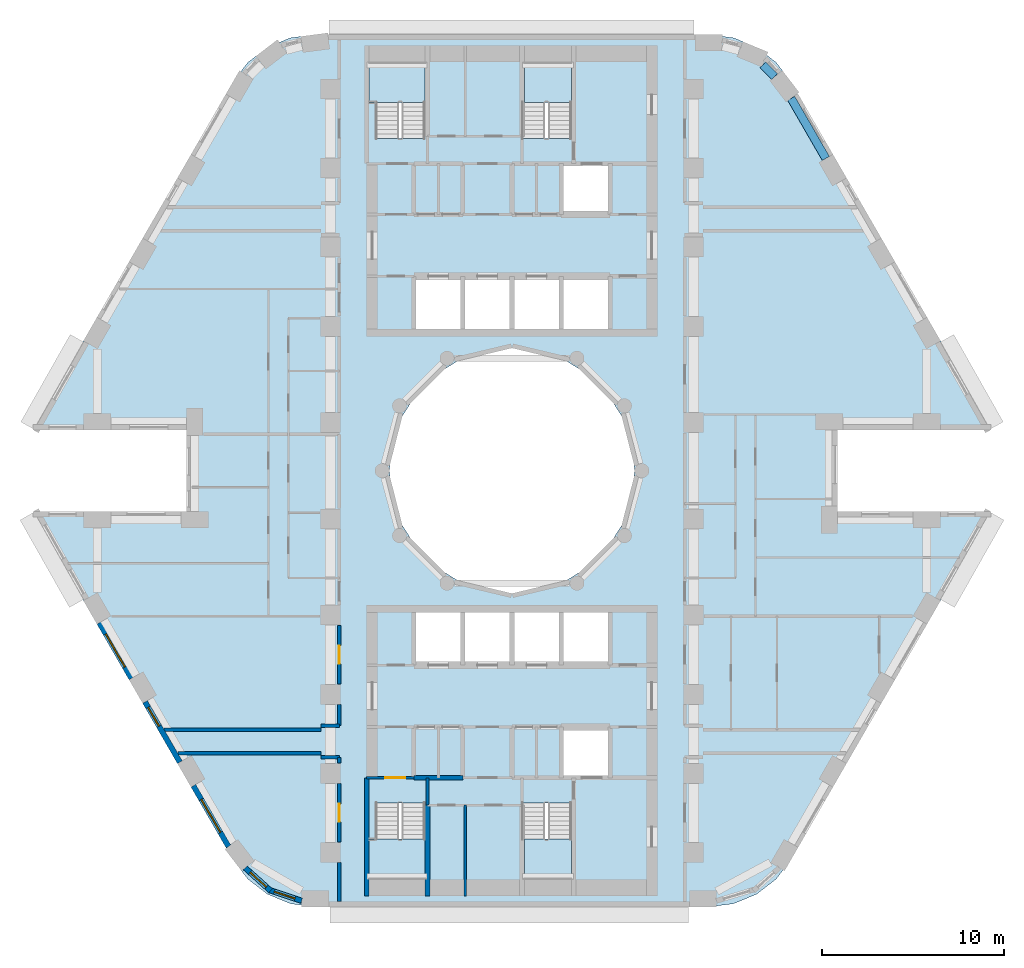
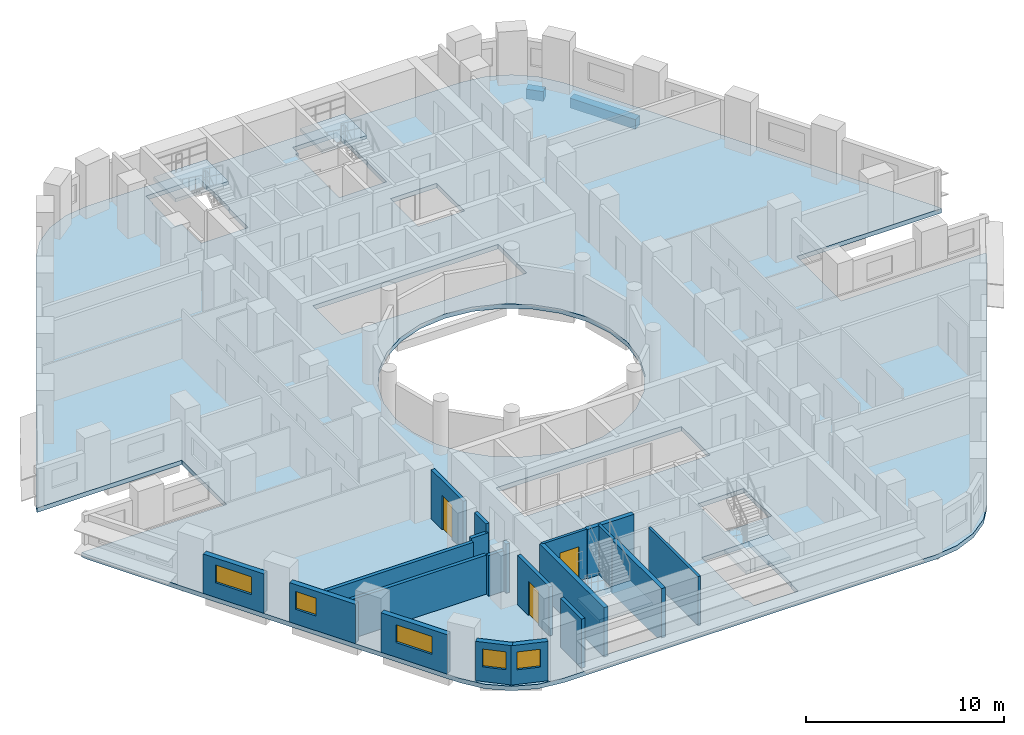
# One storey, part 2 of 12: 20 walls, 5 slabs, 5 windows, 3 doors, 2 beams, 8 openings, 4 elements without a shape of their own.
"""IFC4 building model written with IfcOpenShell, lengths in metres."""

from ifc_helpers import new_model, si_unit, direction, frame, frame_2d, origin, origin_2d, place, context, subcontext, project, spatial, polyline, rectangle, outline, extrude, material, layer, layer_set, material_profile, profile_set, type_object, element, fill, aggregate, save


model = new_model("IFC4")

# Units and contexts
model_context = context("Model", 3, precision=1e-05, world=origin(), true_north=direction((0.0, 1.0)))
body_context = subcontext(model_context, "Body", "Model", "MODEL_VIEW")
ifc_project = project(units=[si_unit("LENGTHUNIT", "METRE"), si_unit("AREAUNIT", "SQUARE_METRE"), si_unit("VOLUMEUNIT", "CUBIC_METRE"), si_unit("PLANEANGLEUNIT", "RADIAN"), si_unit("MASSUNIT", "GRAM", prefix="KILO")], contexts=[model_context])

# Site, building, storey
site_placement = place(None, origin())
site = spatial("IfcSite", under=ifc_project, at=site_placement, CompositionType="ELEMENT")
building_placement = place(site_placement, origin())
building = spatial("IfcBuilding", under=site, at=building_placement, Name="Nakaniwa Court", CompositionType="ELEMENT")
storey_placement = place(building_placement, frame((0.0, 0.0, 57.89990234375)))
storey = spatial("IfcBuildingStorey", under=building, at=storey_placement, Name="L15", CompositionType="ELEMENT", Elevation=57.89990234375)

# Beams
ifc_material_1 = material(Name="Concrete C100/115", Category="concrete")
ifc_material_profile = material_profile(ifc_material_1, rectangle(XDim=0.449951171875, YDim=0.60009765625, at=origin_2d()), Name="Concrete C100/115 RC 450x600 spandrel beam")
ifc_profile_set = profile_set([ifc_material_profile], Name="Concrete C100/115")
beam_type = type_object("IfcBeamType", Name="Concrete C100/115 RC 450x600 spandrel beam", PredefinedType="BEAM", material=ifc_profile_set)
beam_1_placement = place(storey_placement, frame((97.2705078125, 97.1865234375, -0.574951171875), z_axis=(-0.500023067617, 0.86601208528, 0.0), x_axis=(-0.86601208528, -0.500023067617, 0.0)))
element("IfcBeam", 1, at=beam_1_placement, inside=storey, type_object=beam_type, Name="SPANDREL BEAM", PredefinedType="BEAM", context=body_context, shape_type="SweptSolid", body=[
    extrude(rectangle(XDim=0.449951171875, YDim=0.60009765625, at=origin_2d()), origin(), (0.0, 0.0, 1.0), 3.819580078125),
])
beam_2_placement = place(storey_placement, frame((94.448486328125, 101.68505859375, -0.574951171875), z_axis=(-0.705908410536, 0.708303124329, 0.0), x_axis=(-0.708303124329, -0.705908410536, 0.0)))
element("IfcBeam", 2, at=beam_2_placement, inside=storey, type_object=beam_type, Name="SPANDREL BEAM", PredefinedType="BEAM", context=body_context, shape_type="SweptSolid", body=[
    extrude(rectangle(XDim=0.449951171875, YDim=0.60009765625, at=origin_2d()), origin(), (0.0, 0.0, 1.0), 0.91748046875),
])

# Slab
ifc_layer_1 = layer(ifc_material_1, 0.27490234375)
ifc_layer_set_1 = layer_set([ifc_layer_1], Name="Concrete C100/115")
slab_type_1 = type_object("IfcSlabType", Name="Concrete C100/115 post tensioned floor slab 275", PredefinedType="FLOOR", material=ifc_layer_set_1)
slab_1_placement = place(storey_placement, frame((0.0, 0.0, -0.27490234375)))
element("IfcSlab", 3, at=slab_1_placement, inside=storey, type_object=slab_type_1, Name="FLOOR SLAB", PredefinedType="FLOOR", context=body_context, shape_type="SweptSolid", body=[
    extrude(outline(polyline([(97.908447265625, 82.25), (106.356689453125, 82.25), (106.211669921875, 82.60009765625), (95.357421875, 101.39990234375), (94.531005859375, 102.47705078125), (93.4541015625, 103.30322265625), (92.199951171875, 103.82275390625), (90.854248046875, 104.0), (69.145751953125, 104.0), (67.800048828125, 103.82275390625), (66.5458984375, 103.30322265625), (65.468994140625, 102.47705078125), (64.642578125, 101.39990234375), (53.788330078125, 82.60009765625), (53.643310546875, 82.25), (62.091552734375, 82.25), (62.091552734375, 77.75), (53.643310546875, 77.75), (53.788330078125, 77.39990234375), (64.642578125, 58.60009765625), (65.468994140625, 57.52294921875), (66.5458984375, 56.69677734375), (67.800048828125, 56.17724609375), (69.145751953125, 56.0), (90.854248046875, 56.0), (92.199951171875, 56.17724609375), (93.4541015625, 56.69677734375), (94.531005859375, 57.52294921875), (95.357421875, 58.60009765625), (106.211669921875, 77.39990234375), (106.356689453125, 77.75), (97.908447265625, 77.75), (97.908447265625, 82.25)]), holes=[polyline([(81.501953125, 86.580810546875), (80.0, 86.75), (78.498046875, 86.580810546875), (77.0712890625, 86.08154296875), (75.79150390625, 85.27734375), (74.72265625, 84.20849609375), (73.91845703125, 82.9287109375), (73.419189453125, 81.501953125), (73.25, 80.0), (73.419189453125, 78.498046875), (73.91845703125, 77.0712890625), (74.72265625, 75.79150390625), (75.79150390625, 74.72265625), (77.0712890625, 73.91845703125), (78.498046875, 73.419189453125), (80.0, 73.25), (81.501953125, 73.419189453125), (82.9287109375, 73.91845703125), (84.20849609375, 74.72265625), (85.27734375, 75.79150390625), (86.08154296875, 77.0712890625), (86.580810546875, 78.498046875), (86.75, 80.0), (86.580810546875, 81.501953125), (86.08154296875, 82.9287109375), (85.27734375, 84.20849609375), (84.20849609375, 85.27734375), (82.9287109375, 86.08154296875), (81.501953125, 86.580810546875)]), polyline([(75.264892578125, 57.4599609375), (75.264892578125, 59.764892578125), (75.22509765625, 59.764892578125), (75.22509765625, 61.7099609375), (72.47509765625, 61.7099609375), (72.47509765625, 59.764892578125), (72.0849609375, 59.764892578125), (72.0849609375, 57.4599609375), (72.125, 57.4599609375), (72.125, 56.72509765625), (75.22509765625, 56.72509765625), (75.22509765625, 57.324951171875), (75.22509765625, 57.4599609375), (75.264892578125, 57.4599609375)]), polyline([(80.0, 69.300048828125), (82.699951171875, 69.300048828125), (85.39990234375, 69.300048828125), (85.39990234375, 72.199951171875), (82.699951171875, 72.199951171875), (80.0, 72.199951171875), (77.300048828125, 72.199951171875), (74.60009765625, 72.199951171875), (74.60009765625, 69.300048828125), (77.300048828125, 69.300048828125), (80.0, 69.300048828125)]), polyline([(80.0, 87.800048828125), (82.699951171875, 87.800048828125), (85.39990234375, 87.800048828125), (85.39990234375, 90.699951171875), (82.699951171875, 90.699951171875), (80.0, 90.699951171875), (77.300048828125, 90.699951171875), (74.60009765625, 90.699951171875), (74.60009765625, 87.800048828125), (77.300048828125, 87.800048828125), (80.0, 87.800048828125)]), polyline([(75.264892578125, 100.235107421875), (75.264892578125, 102.5400390625), (75.22509765625, 102.5400390625), (75.22509765625, 102.675048828125), (75.22509765625, 103.27490234375), (72.125, 103.27490234375), (72.125, 102.5400390625), (72.0849609375, 102.5400390625), (72.0849609375, 100.235107421875), (72.47509765625, 100.235107421875), (72.47509765625, 98.2900390625), (75.22509765625, 98.2900390625), (75.22509765625, 100.235107421875), (75.264892578125, 100.235107421875)]), polyline([(83.27490234375, 61.7099609375), (80.52490234375, 61.7099609375), (80.52490234375, 57.324951171875), (80.675048828125, 57.324951171875), (80.675048828125, 56.72509765625), (83.27490234375, 56.72509765625), (83.27490234375, 57.324951171875), (83.27490234375, 57.4599609375), (83.31494140625, 57.4599609375), (83.31494140625, 59.764892578125), (83.27490234375, 59.764892578125), (83.27490234375, 61.7099609375)]), polyline([(85.39990234375, 65.89990234375), (82.699951171875, 65.89990234375), (82.699951171875, 63.10009765625), (85.39990234375, 63.10009765625), (85.39990234375, 65.89990234375)]), polyline([(85.39990234375, 96.89990234375), (82.699951171875, 96.89990234375), (82.699951171875, 94.10009765625), (85.39990234375, 94.10009765625), (85.39990234375, 96.89990234375)]), polyline([(83.27490234375, 100.235107421875), (83.31494140625, 100.235107421875), (83.31494140625, 102.5400390625), (83.27490234375, 102.5400390625), (83.27490234375, 102.675048828125), (83.27490234375, 103.27490234375), (80.675048828125, 103.27490234375), (80.675048828125, 102.675048828125), (80.52490234375, 102.675048828125), (80.52490234375, 98.2900390625), (83.27490234375, 98.2900390625), (83.27490234375, 100.235107421875)])]), origin(), (0.0, 0.0, 1.0), 0.27490234375),
])

# Stair, slab
ifc_material_2 = material(Name="Concrete C80/100", Category="concrete")
stair_type = type_object("IfcStairType", Name="Dog leg stair 1300 wide 18 risers", PredefinedType="HALF_TURN_STAIR", material=ifc_material_2)
stair_1_placement = place(storey_placement, origin())
stair_1 = element("IfcStair", 4, at=stair_1_placement, inside=storey, type_object=stair_type, Name="L15 Stair ST1", PredefinedType="HALF_TURN_STAIR")
ifc_layer_2 = layer(ifc_material_2, 0.199951171875)
ifc_layer_set_2 = layer_set([ifc_layer_2], Name="Concrete C80/100")
slab_type_2 = type_object("IfcSlabType", Name="Stair landing concrete", PredefinedType="LANDING", material=ifc_layer_set_2)
slab_2_placement = place(storey_placement, frame((0.0, 0.0, 1.4501953125)))
slab_2 = element("IfcSlab", 5, at=slab_2_placement, type_object=slab_type_2, Name="ST1 landing 1", PredefinedType="LANDING", context=body_context, shape_type="SweptSolid", body=[
    extrude(outline(polyline([(75.22509765625, 100.27490234375), (75.22509765625, 102.5), (72.125, 102.5), (72.125, 100.27490234375), (75.22509765625, 100.27490234375)])), origin(), (0.0, 0.0, 1.0), 0.199951171875),
])
aggregate(stair_1, [slab_2])

stair_2_placement = place(storey_placement, origin())
stair_2 = element("IfcStair", 6, at=stair_2_placement, inside=storey, type_object=stair_type, Name="L15 Stair ST2", PredefinedType="HALF_TURN_STAIR")
slab_3_placement = place(storey_placement, frame((0.0, 0.0, 1.4501953125)))
slab_3 = element("IfcSlab", 7, at=slab_3_placement, type_object=slab_type_2, Name="ST2 landing 1", PredefinedType="LANDING", context=body_context, shape_type="SweptSolid", body=[
    extrude(outline(polyline([(83.27490234375, 100.27490234375), (83.27490234375, 102.5), (80.675048828125, 102.5), (80.675048828125, 100.27490234375), (83.27490234375, 100.27490234375)])), origin(), (0.0, 0.0, 1.0), 0.199951171875),
])
aggregate(stair_2, [slab_3])

stair_3_placement = place(storey_placement, origin())
stair_3 = element("IfcStair", 8, at=stair_3_placement, inside=storey, type_object=stair_type, Name="L15 Stair ST3", PredefinedType="HALF_TURN_STAIR")
slab_4_placement = place(storey_placement, frame((0.0, 0.0, 1.4501953125)))
slab_4 = element("IfcSlab", 9, at=slab_4_placement, type_object=slab_type_2, Name="ST3 landing 1", PredefinedType="LANDING", context=body_context, shape_type="SweptSolid", body=[
    extrude(outline(polyline([(75.22509765625, 57.5), (75.22509765625, 59.72509765625), (72.125, 59.72509765625), (72.125, 57.5), (75.22509765625, 57.5)])), origin(), (0.0, 0.0, 1.0), 0.199951171875),
])
aggregate(stair_3, [slab_4])

stair_4_placement = place(storey_placement, origin())
stair_4 = element("IfcStair", 10, at=stair_4_placement, inside=storey, type_object=stair_type, Name="L15 Stair ST4", PredefinedType="HALF_TURN_STAIR")
slab_5_placement = place(storey_placement, frame((0.0, 0.0, 1.4501953125)))
slab_5 = element("IfcSlab", 11, at=slab_5_placement, type_object=slab_type_2, Name="ST4 landing 1", PredefinedType="LANDING", context=body_context, shape_type="SweptSolid", body=[
    extrude(outline(polyline([(83.27490234375, 57.5), (83.27490234375, 59.72509765625), (80.675048828125, 59.72509765625), (80.675048828125, 57.5), (83.27490234375, 57.5)])), origin(), (0.0, 0.0, 1.0), 0.199951171875),
])
aggregate(stair_4, [slab_5])

# Walls
ifc_material_3 = material(Name="Acoustic double stud partition")
ifc_layer_3 = layer(ifc_material_3, 0.199951171875)
ifc_layer_set_3 = layer_set([ifc_layer_3], Name="Acoustic double stud partition")
wall_type_1 = type_object("IfcWallType", Name="Acoustic double stud partition 200", PredefinedType="PARTITIONING", material=ifc_layer_set_3)
wall_1_placement = place(storey_placement, frame((69.5, 65.97509765625, 0.0), z_axis=(0.0, 0.0, 1.0), x_axis=(1.0, 0.0, 0.0)))
element("IfcWall", 12, at=wall_1_placement, inside=storey, type_object=wall_type_1, Name="Partition PW-091", PredefinedType="PARTITIONING", context=body_context, shape_type="SweptSolid", body=[
    extrude(rectangle(XDim=1.0, YDim=0.199951171875, at=frame_2d((0.5, 0.0))), origin(), (0.0, 0.0, 1.0), 2.505126953125),
])
wall_2_placement = place(storey_placement, frame((60.86083984375, 65.75, 0.0), z_axis=(0.0, 0.0, 1.0), x_axis=(1.0, 0.0, 0.0)))
element("IfcWall", 13, at=wall_2_placement, inside=storey, type_object=wall_type_1, Name="Partition PW-093", PredefinedType="PARTITIONING", context=body_context, shape_type="SweptSolid", body=[
    extrude(rectangle(XDim=8.63916015625, YDim=0.199951171875, at=frame_2d((4.319580078125, 0.0))), origin(), (0.0, 0.0, 1.0), 2.405029296875),
])
wall_3_placement = place(storey_placement, frame((61.611328125, 64.449951171875, 0.0), z_axis=(0.0, 0.0, 1.0), x_axis=(1.0, 0.0, 0.0)))
element("IfcWall", 14, at=wall_3_placement, inside=storey, type_object=wall_type_1, Name="Partition PW-095", PredefinedType="PARTITIONING", context=body_context, shape_type="SweptSolid", body=[
    extrude(rectangle(XDim=7.888671875, YDim=0.199951171875, at=frame_2d((3.9443359375, 0.0))), origin(), (0.0, 0.0, 1.0), 2.405029296875),
])
wall_4_placement = place(storey_placement, frame((69.5, 64.22509765625, 0.0), z_axis=(0.0, 0.0, 1.0), x_axis=(1.0, 0.0, 0.0)))
element("IfcWall", 15, at=wall_4_placement, inside=storey, type_object=wall_type_1, Name="Partition PW-097", PredefinedType="PARTITIONING", context=body_context, shape_type="SweptSolid", body=[
    extrude(rectangle(XDim=1.0, YDim=0.199951171875, at=frame_2d((0.5, 0.0))), origin(), (0.0, 0.0, 1.0), 2.505126953125),
])
wall_5_placement = place(storey_placement, frame((70.5, 56.300048828125, 0.0), z_axis=(0.0, 0.0, 1.0), x_axis=(0.0, 1.0, 0.0)))
element("IfcWall", 16, at=wall_5_placement, inside=storey, type_object=wall_type_1, Name="Partition PW-099", PredefinedType="PARTITIONING", context=body_context, shape_type="SweptSolid", body=[
    extrude(rectangle(XDim=2.133056640625, YDim=0.199951171875, at=frame_2d((1.06640625, 0.0))), origin(), (0.0, 0.0, 1.0), 3.025146484375),
])

# Wall, opening, door
wall_6_placement = place(storey_placement, frame((70.5, 59.56689453125, 0.0), z_axis=(0.0, 0.0, 1.0), x_axis=(0.0, 1.0, 0.0)))
wall_6 = element("IfcWall", 17, at=wall_6_placement, inside=storey, type_object=wall_type_1, Name="Partition PW-100", PredefinedType="PARTITIONING", context=body_context, shape_type="SweptSolid", body=[
    extrude(rectangle(XDim=3.216064453125, YDim=0.199951171875, at=frame_2d((1.60791015625, 0.0))), origin(), (0.0, 0.0, 1.0), 3.025146484375),
])
opening_1_placement = place(wall_6_placement, frame((1.10791015625, 0.0, 0.0)))
opening_1 = element("IfcOpeningElement", 18, at=opening_1_placement, cuts=wall_6, Name="Opening D-02-06", PredefinedType="OPENING", context=body_context, shape_type="SweptSolid", body=[
    extrude(rectangle(XDim=1.0, YDim=2.10009765625, at=frame_2d((0.5, 1.050048828125))), frame((0.0, 0.10986328125, 0.0), z_axis=(0.0, -1.0, 0.0), x_axis=(1.0, 0.0, 0.0)), (0.0, 0.0, 1.0), 0.219970703125),
])
ifc_material_4 = material(Name="Solid core timber door set, black veneer", Category="wood")
door_type_1 = type_object("IfcDoorType", Name="Internal door 1000", OperationType="NOTDEFINED", PredefinedType="DOOR", material=ifc_material_4)
door_1_placement = place(opening_1_placement, origin())
door_1 = element("IfcDoor", 19, at=door_1_placement, inside=storey, type_object=door_type_1, Name="Door D-02-06 L15-054", OperationType="SINGLE_SWING_LEFT", OverallHeight=2.10009765625, OverallWidth=1.0, PredefinedType="DOOR", context=body_context, shape_type="SweptSolid", body=[
    extrude(rectangle(XDim=1.0, YDim=2.10009765625, at=frame_2d((0.5, 1.050048828125))), frame((0.0, 0.02490234375, 0.0), z_axis=(0.0, -1.0, 0.0), x_axis=(1.0, 0.0, 0.0)), (0.0, 0.0, 1.0), 0.050048828125),
])
fill(opening_1, door_1)

# Walls
wall_7_placement = place(storey_placement, frame((70.5, 63.9169921875, 0.0), z_axis=(0.0, 0.0, 1.0), x_axis=(0.0, 1.0, 0.0)))
element("IfcWall", 20, at=wall_7_placement, inside=storey, type_object=wall_type_1, Name="Partition PW-101", PredefinedType="PARTITIONING", context=body_context, shape_type="SweptSolid", body=[
    extrude(rectangle(XDim=0.31103515625, YDim=0.199951171875, at=frame_2d((0.155517578125, 0.0))), origin(), (0.0, 0.0, 1.0), 3.025146484375),
])
wall_8_placement = place(storey_placement, frame((70.5, 65.971923828125, 0.0), z_axis=(0.0, 0.0, 1.0), x_axis=(0.0, 1.0, 0.0)))
element("IfcWall", 21, at=wall_8_placement, inside=storey, type_object=wall_type_1, Name="Partition PW-102", PredefinedType="PARTITIONING", context=body_context, shape_type="SweptSolid", body=[
    extrude(rectangle(XDim=1.1611328125, YDim=0.199951171875, at=frame_2d((0.58056640625, 0.0))), origin(), (0.0, 0.0, 1.0), 3.025146484375),
])

# Wall, opening, door
wall_9_placement = place(storey_placement, frame((70.5, 68.26708984375, 0.0), z_axis=(0.0, 0.0, 1.0), x_axis=(0.0, 1.0, 0.0)))
wall_9 = element("IfcWall", 22, at=wall_9_placement, inside=storey, type_object=wall_type_1, Name="Partition PW-103", PredefinedType="PARTITIONING", context=body_context, shape_type="SweptSolid", body=[
    extrude(rectangle(XDim=3.2158203125, YDim=0.199951171875, at=frame_2d((1.60791015625, 0.0))), origin(), (0.0, 0.0, 1.0), 3.025146484375),
])
opening_2_placement = place(wall_9_placement, frame((1.10791015625, 0.0, 0.0)))
opening_2 = element("IfcOpeningElement", 23, at=opening_2_placement, cuts=wall_9, Name="Opening D-02-03", PredefinedType="OPENING", context=body_context, shape_type="SweptSolid", body=[
    extrude(rectangle(XDim=1.0, YDim=2.10009765625, at=frame_2d((0.5, 1.050048828125))), frame((0.0, 0.10986328125, 0.0), z_axis=(0.0, -1.0, 0.0), x_axis=(1.0, 0.0, 0.0)), (0.0, 0.0, 1.0), 0.219970703125),
])
door_2_placement = place(opening_2_placement, origin())
door_2 = element("IfcDoor", 24, at=door_2_placement, inside=storey, type_object=door_type_1, Name="Door D-02-03 L15-041", OperationType="SINGLE_SWING_RIGHT", OverallHeight=2.10009765625, OverallWidth=1.0, PredefinedType="DOOR", context=body_context, shape_type="SweptSolid", body=[
    extrude(rectangle(XDim=1.0, YDim=2.10009765625, at=frame_2d((0.5, 1.050048828125))), frame((0.0, 0.02490234375, 0.0), z_axis=(0.0, -1.0, 0.0), x_axis=(1.0, 0.0, 0.0)), (0.0, 0.0, 1.0), 0.050048828125),
])
fill(opening_2, door_2)

# Wall, opening, window
ifc_material_5 = material(Name="Charcoal ceramic cladding")
ifc_layer_4 = layer(ifc_material_5, 0.02, Name="Ceramic cladding")
ifc_material_6 = material(Name="Ventilated air cavity")
ifc_layer_5 = layer(ifc_material_6, 0.04, ventilated=True, Name="Ventilated cavity")
ifc_material_7 = material(Name="Mineral wool insulation")
ifc_layer_6 = layer(ifc_material_7, 0.1, Name="Insulation")
ifc_material_8 = material(Name="Cement bonded sheathing board")
ifc_layer_7 = layer(ifc_material_8, 0.012, Name="Sheathing")
ifc_material_9 = material(Name="Cold-formed galvanised stud frame with mineral wool infill")
ifc_layer_8 = layer(ifc_material_9, 0.1, Name="Stud frame")
ifc_material_10 = material(Name="Fire-rated gypsum plasterboard lining")
ifc_layer_9 = layer(ifc_material_10, 0.028, Name="Lining")
ifc_layer_set_4 = layer_set([ifc_layer_4, ifc_layer_5, ifc_layer_6, ifc_layer_7, ifc_layer_8, ifc_layer_9], Name="Charcoal ceramic faced external wall system")
wall_type_2 = type_object("IfcWallType", Name="Black ceramic faced external wall 300", PredefinedType="SOLIDWALL", material=ifc_layer_set_4)
wall_10_placement = place(storey_placement, frame((57.290283203125, 71.63427734375, 0.0), z_axis=(0.0, 0.0, 1.0), x_axis=(0.499977402622, -0.866038449993, 0.0)))
wall_10 = element("IfcWall", 25, at=wall_10_placement, inside=storey, type_object=wall_type_2, Name="L15 external wall 21", PredefinedType="SOLIDWALL", context=body_context, shape_type="SweptSolid", body=[
    extrude(rectangle(XDim=3.536865234375, YDim=0.300048828125, at=frame_2d((1.7685546875, 0.0))), origin(), (0.0, 0.0, 1.0), 2.425048828125),
])
opening_3_placement = place(wall_10_placement, frame((0.718505859375, 0.0, 0.89990234375)))
opening_3 = element("IfcOpeningElement", 26, at=opening_3_placement, cuts=wall_10, Name="Opening W7.22", PredefinedType="OPENING", context=body_context, shape_type="SweptSolid", body=[
    extrude(rectangle(XDim=2.10009765625, YDim=1.10009765625, at=frame_2d((1.050048828125, 0.550048828125))), frame((0.0, 0.159912109375, 0.0), z_axis=(0.0, -1.0, 0.0), x_axis=(1.0, 0.0, 0.0)), (0.0, 0.0, 1.0), 0.320068359375),
])
ifc_material_11 = material(Name="Black anodised aluminium frame with dark low-E laminated double glazing", Category="aluminium")
window_type_1 = type_object("IfcWindowType", Name="Dark glass window 2100x1100 sill 900", PartitioningType="SINGLE_PANEL", PredefinedType="WINDOW", material=ifc_material_11)
window_1_placement = place(opening_3_placement, origin())
window_1 = element("IfcWindow", 27, at=window_1_placement, inside=storey, type_object=window_type_1, Name="L15 habitable room window 21-0", OverallHeight=1.10009765625, OverallWidth=2.10009765625, PartitioningType="SINGLE_PANEL", PredefinedType="WINDOW", context=body_context, shape_type="SweptSolid", body=[
    extrude(rectangle(XDim=2.10009765625, YDim=1.10009765625, at=frame_2d((1.050048828125, 0.550048828125))), frame((0.0, 0.030029296875, 0.0), z_axis=(0.0, -1.0, 0.0), x_axis=(1.0, 0.0, 0.0)), (0.0, 0.0, 1.0), 0.06005859375),
])
fill(opening_3, window_1)

wall_11_placement = place(storey_placement, frame((59.8046875, 67.279296875, 0.0), z_axis=(0.0, 0.0, 1.0), x_axis=(0.500001735503, -0.866024401789, 0.0)))
wall_11 = element("IfcWall", 28, at=wall_11_placement, inside=storey, type_object=wall_type_2, Name="L15 external wall 22", PredefinedType="SOLIDWALL", context=body_context, shape_type="SweptSolid", body=[
    extrude(rectangle(XDim=3.833984375, YDim=0.300048828125, at=frame_2d((1.9169921875, 0.0))), origin(), (0.0, 0.0, 1.0), 2.425048828125),
])
opening_4_placement = place(wall_11_placement, frame((0.343994140625, 0.0, 0.89990234375)))
opening_4 = element("IfcOpeningElement", 29, at=opening_4_placement, cuts=wall_11, Name="Opening W6.23", PredefinedType="OPENING", context=body_context, shape_type="SweptSolid", body=[
    extrude(rectangle(XDim=1.199951171875, YDim=1.10009765625, at=frame_2d((0.60009765625, 0.550048828125))), frame((0.0, 0.159912109375, 0.0), z_axis=(0.0, -1.0, 0.0), x_axis=(1.0, 0.0, 0.0)), (0.0, 0.0, 1.0), 0.320068359375),
])
window_type_2 = type_object("IfcWindowType", Name="Dark glass window 1200x1100 sill 900", PartitioningType="SINGLE_PANEL", PredefinedType="WINDOW", material=ifc_material_11)
window_2_placement = place(opening_4_placement, origin())
window_2 = element("IfcWindow", 30, at=window_2_placement, inside=storey, type_object=window_type_2, Name="L15 habitable room window 22-0", OverallHeight=1.10009765625, OverallWidth=1.199951171875, PartitioningType="SINGLE_PANEL", PredefinedType="WINDOW", context=body_context, shape_type="SweptSolid", body=[
    extrude(rectangle(XDim=1.199951171875, YDim=1.10009765625, at=frame_2d((0.60009765625, 0.550048828125))), frame((0.0, 0.030029296875, 0.0), z_axis=(0.0, -1.0, 0.0), x_axis=(1.0, 0.0, 0.0)), (0.0, 0.0, 1.0), 0.06005859375),
])
fill(opening_4, window_2)

wall_12_placement = place(storey_placement, frame((62.4677734375, 62.6669921875, 0.0), z_axis=(0.0, 0.0, 1.0), x_axis=(0.499948341072, -0.866055227026, 0.0)))
wall_12 = element("IfcWall", 31, at=wall_12_placement, inside=storey, type_object=wall_type_2, Name="L15 external wall 23", PredefinedType="SOLIDWALL", context=body_context, shape_type="SweptSolid", body=[
    extrude(rectangle(XDim=3.8671875, YDim=0.300048828125, at=frame_2d((1.93359375, 0.0))), origin(), (0.0, 0.0, 1.0), 2.425048828125),
])
opening_5_placement = place(wall_12_placement, frame((0.872314453125, 0.0, 0.89990234375)))
opening_5 = element("IfcOpeningElement", 32, at=opening_5_placement, cuts=wall_12, Name="Opening W7.24", PredefinedType="OPENING", context=body_context, shape_type="SweptSolid", body=[
    extrude(rectangle(XDim=2.10009765625, YDim=1.10009765625, at=frame_2d((1.050048828125, 0.550048828125))), frame((0.0, 0.159912109375, 0.0), z_axis=(0.0, -1.0, 0.0), x_axis=(1.0, 0.0, 0.0)), (0.0, 0.0, 1.0), 0.320068359375),
])
window_3_placement = place(opening_5_placement, origin())
window_3 = element("IfcWindow", 33, at=window_3_placement, inside=storey, type_object=window_type_1, Name="L15 habitable room window 23-0", OverallHeight=1.10009765625, OverallWidth=2.10009765625, PartitioningType="SINGLE_PANEL", PredefinedType="WINDOW", context=body_context, shape_type="SweptSolid", body=[
    extrude(rectangle(XDim=2.10009765625, YDim=1.10009765625, at=frame_2d((1.050048828125, 0.550048828125))), frame((0.0, 0.030029296875, 0.0), z_axis=(0.0, -1.0, 0.0), x_axis=(1.0, 0.0, 0.0)), (0.0, 0.0, 1.0), 0.06005859375),
])
fill(opening_5, window_3)

wall_13_placement = place(storey_placement, frame((65.3203125, 58.142578125, 0.0), z_axis=(0.0, 0.0, 1.0), x_axis=(0.7435526378, -0.668677407141, 0.0)))
wall_13 = element("IfcWall", 34, at=wall_13_placement, inside=storey, type_object=wall_type_2, Name="L15 external wall 24", PredefinedType="SOLIDWALL", context=body_context, shape_type="SweptSolid", body=[
    extrude(rectangle(XDim=1.878173828125, YDim=0.300048828125, at=frame_2d((0.93896484375, 0.0))), origin(), (0.0, 0.0, 1.0), 2.425048828125),
])
opening_6_placement = place(wall_13_placement, frame((0.366943359375, 0.0, 0.89990234375)))
opening_6 = element("IfcOpeningElement", 35, at=opening_6_placement, cuts=wall_13, Name="Opening W6.25", PredefinedType="OPENING", context=body_context, shape_type="SweptSolid", body=[
    extrude(rectangle(XDim=1.199951171875, YDim=1.10009765625, at=frame_2d((0.60009765625, 0.550048828125))), frame((0.0, 0.159912109375, 0.0), z_axis=(0.0, -1.0, 0.0), x_axis=(1.0, 0.0, 0.0)), (0.0, 0.0, 1.0), 0.320068359375),
])
window_4_placement = place(opening_6_placement, origin())
window_4 = element("IfcWindow", 36, at=window_4_placement, inside=storey, type_object=window_type_2, Name="L15 habitable room window 24-0", OverallHeight=1.10009765625, OverallWidth=1.199951171875, PartitioningType="SINGLE_PANEL", PredefinedType="WINDOW", context=body_context, shape_type="SweptSolid", body=[
    extrude(rectangle(XDim=1.199951171875, YDim=1.10009765625, at=frame_2d((0.60009765625, 0.550048828125))), frame((0.0, 0.030029296875, 0.0), z_axis=(0.0, -1.0, 0.0), x_axis=(1.0, 0.0, 0.0)), (0.0, 0.0, 1.0), 0.06005859375),
])
fill(opening_6, window_4)

wall_14_placement = place(storey_placement, frame((66.6240234375, 56.932861328125, 0.0), z_axis=(0.0, 0.0, 1.0), x_axis=(0.949246659442, -0.314532636683, 0.0)))
wall_14 = element("IfcWall", 37, at=wall_14_placement, inside=storey, type_object=wall_type_2, Name="L15 external wall 25", PredefinedType="SOLIDWALL", context=body_context, shape_type="SweptSolid", body=[
    extrude(rectangle(XDim=1.901611328125, YDim=0.300048828125, at=frame_2d((0.95068359375, 0.0))), origin(), (0.0, 0.0, 1.0), 2.425048828125),
])
opening_7_placement = place(wall_14_placement, frame((0.31005859375, 0.0, 0.89990234375)))
opening_7 = element("IfcOpeningElement", 38, at=opening_7_placement, cuts=wall_14, Name="Opening W6.26", PredefinedType="OPENING", context=body_context, shape_type="SweptSolid", body=[
    extrude(rectangle(XDim=1.199951171875, YDim=1.10009765625, at=frame_2d((0.60009765625, 0.550048828125))), frame((0.0, 0.159912109375, 0.0), z_axis=(0.0, -1.0, 0.0), x_axis=(1.0, 0.0, 0.0)), (0.0, 0.0, 1.0), 0.320068359375),
])
window_5_placement = place(opening_7_placement, origin())
window_5 = element("IfcWindow", 39, at=window_5_placement, inside=storey, type_object=window_type_2, Name="L15 habitable room window 25-0", OverallHeight=1.10009765625, OverallWidth=1.199951171875, PartitioningType="SINGLE_PANEL", PredefinedType="WINDOW", context=body_context, shape_type="SweptSolid", body=[
    extrude(rectangle(XDim=1.199951171875, YDim=1.10009765625, at=frame_2d((0.60009765625, 0.550048828125))), frame((0.0, 0.030029296875, 0.0), z_axis=(0.0, -1.0, 0.0), x_axis=(1.0, 0.0, 0.0)), (0.0, 0.0, 1.0), 0.06005859375),
])
fill(opening_7, window_5)

# Wall
ifc_material_12 = material(Name="Blockwork partition", Category="masonry")
ifc_layer_10 = layer(ifc_material_12, 0.14990234375)
ifc_layer_set_5 = layer_set([ifc_layer_10], Name="Blockwork partition")
wall_type_3 = type_object("IfcWallType", Name="Blockwork partition 150", PredefinedType="PARTITIONING", material=ifc_layer_set_5)
wall_15_placement = place(storey_placement, frame((77.429931640625, 56.60009765625, 0.0), z_axis=(0.0, 0.0, 1.0), x_axis=(0.0, 1.0, 0.0)))
element("IfcWall", 40, at=wall_15_placement, inside=storey, type_object=wall_type_3, Name="Partition PW-070", PredefinedType="PARTITIONING", context=body_context, shape_type="SweptSolid", body=[
    extrude(rectangle(XDim=5.0, YDim=0.14990234375, at=frame_2d((2.5, 0.0))), origin(), (0.0, 0.0, 1.0), 3.025146484375),
])

# Wall, opening, door
ifc_layer_11 = layer(ifc_material_1, 0.14990234375)
ifc_layer_set_6 = layer_set([ifc_layer_11], Name="Concrete C100/115")
wall_type_4 = type_object("IfcWallType", Name="Concrete core wall 150 C100", PredefinedType="SHEAR", material=ifc_layer_set_6)
wall_16_placement = place(storey_placement, frame((72.0, 63.10009765625, -0.27490234375), z_axis=(0.0, 0.0, 1.0), x_axis=(1.0, 0.0, 0.0)))
wall_16 = element("IfcWall", 41, at=wall_16_placement, inside=storey, type_object=wall_type_4, Name="Core wall SW-57", PredefinedType="SHEAR", context=body_context, shape_type="SweptSolid", body=[
    extrude(rectangle(XDim=2.60009765625, YDim=0.14990234375, at=frame_2d((1.300048828125, 0.0))), origin(), (0.0, 0.0, 1.0), 3.300048828125),
])
opening_8_placement = place(wall_16_placement, frame((1.02001953125, 0.0, 0.27490234375)))
opening_8 = element("IfcOpeningElement", 42, at=opening_8_placement, cuts=wall_16, Name="Opening D-09-02", PredefinedType="OPENING", context=body_context, shape_type="SweptSolid", body=[
    extrude(rectangle(XDim=1.10009765625, YDim=2.10009765625, at=frame_2d((0.550048828125, 1.050048828125))), frame((0.0, 0.0849609375, 0.0), z_axis=(0.0, -1.0, 0.0), x_axis=(1.0, 0.0, 0.0)), (0.0, 0.0, 1.0), 0.169921875),
])
ifc_material_13 = material(Name="Fire rated steel door set", Category="steel")
door_type_2 = type_object("IfcDoorType", Name="Stair door 1100", OperationType="NOTDEFINED", PredefinedType="DOOR", material=ifc_material_13)
door_3_placement = place(opening_8_placement, origin())
door_3 = element("IfcDoor", 43, at=door_3_placement, inside=storey, type_object=door_type_2, Name="Door D-09-02 L15-027", OperationType="SINGLE_SWING_LEFT", OverallHeight=2.10009765625, OverallWidth=1.10009765625, PredefinedType="DOOR", context=body_context, shape_type="SweptSolid", body=[
    extrude(rectangle(XDim=1.10009765625, YDim=2.10009765625, at=frame_2d((0.550048828125, 1.050048828125))), frame((0.0, 0.02490234375, 0.0), z_axis=(0.0, -1.0, 0.0), x_axis=(1.0, 0.0, 0.0)), (0.0, 0.0, 1.0), 0.050048828125),
])
fill(opening_8, door_3)

# Walls
wall_17_placement = place(storey_placement, frame((75.35009765625, 61.596923828125, -0.27490234375), z_axis=(0.0, 0.0, 1.0), x_axis=(0.0, 1.0, 0.0)))
element("IfcWall", 44, at=wall_17_placement, inside=storey, type_object=wall_type_4, Name="Core wall SW-63", PredefinedType="SHEAR", context=body_context, shape_type="SweptSolid", body=[
    extrude(rectangle(XDim=1.503173828125, YDim=0.14990234375, at=frame_2d((0.75146484375, 0.0))), origin(), (0.0, 0.0, 1.0), 3.300048828125),
])
ifc_layer_12 = layer(ifc_material_1, 0.25)
ifc_layer_set_7 = layer_set([ifc_layer_12], Name="Concrete C100/115")
wall_type_5 = type_object("IfcWallType", Name="Concrete core wall 250 C100", PredefinedType="SHEAR", material=ifc_layer_set_7)
wall_18_placement = place(storey_placement, frame((72.0, 56.60009765625, -0.27490234375), z_axis=(0.0, 0.0, 1.0), x_axis=(0.0, 1.0, 0.0)))
element("IfcWall", 45, at=wall_18_placement, inside=storey, type_object=wall_type_5, Name="Core wall SW-65", PredefinedType="SHEAR", context=body_context, shape_type="SweptSolid", body=[
    extrude(rectangle(XDim=6.5, YDim=0.25, at=frame_2d((3.25, 0.0))), origin(), (0.0, 0.0, 1.0), 3.300048828125),
])
ifc_layer_13 = layer(ifc_material_1, 0.25)
ifc_layer_set_8 = layer_set([ifc_layer_13], Name="Concrete C100/115")
wall_type_6 = type_object("IfcWallType", Name="Concrete shaft wall 250 C100", PredefinedType="SHEAR", material=ifc_layer_set_8)
wall_19_placement = place(storey_placement, frame((74.60009765625, 63.10009765625, -0.27490234375), z_axis=(0.0, 0.0, 1.0), x_axis=(1.0, 0.0, 0.0)))
element("IfcWall", 46, at=wall_19_placement, inside=storey, type_object=wall_type_6, Name="Core wall SW-59", PredefinedType="SHEAR", context=body_context, shape_type="SweptSolid", body=[
    extrude(rectangle(XDim=2.699951171875, YDim=0.25, at=frame_2d((1.35009765625, 0.0))), origin(), (0.0, 0.0, 1.0), 3.300048828125),
])
wall_20_placement = place(storey_placement, frame((75.35009765625, 56.60009765625, -0.27490234375), z_axis=(0.0, 0.0, 1.0), x_axis=(0.0, 1.0, 0.0)))
element("IfcWall", 47, at=wall_20_placement, inside=storey, type_object=wall_type_6, Name="Core wall SW-64", PredefinedType="SHEAR", context=body_context, shape_type="SweptSolid", body=[
    extrude(rectangle(XDim=5.0029296875, YDim=0.25, at=frame_2d((2.50146484375, 0.0))), origin(), (0.0, 0.0, 1.0), 3.300048828125),
])

save(model, "model.ifc")
